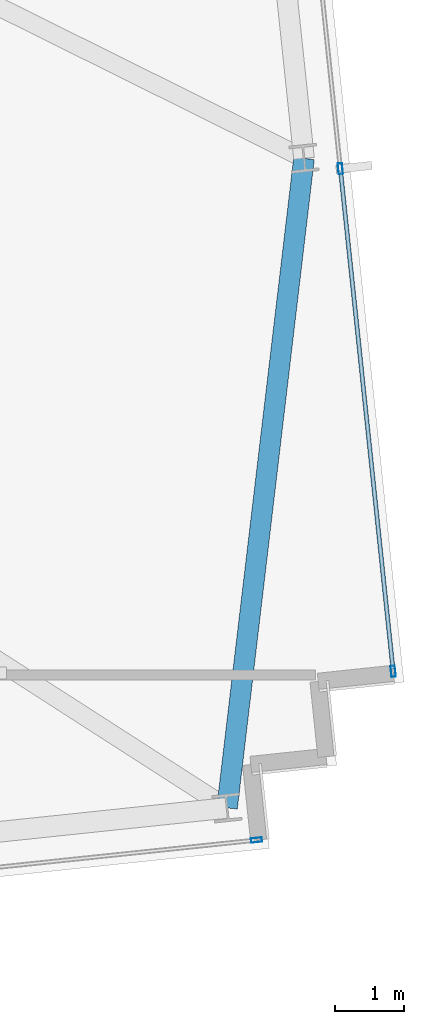
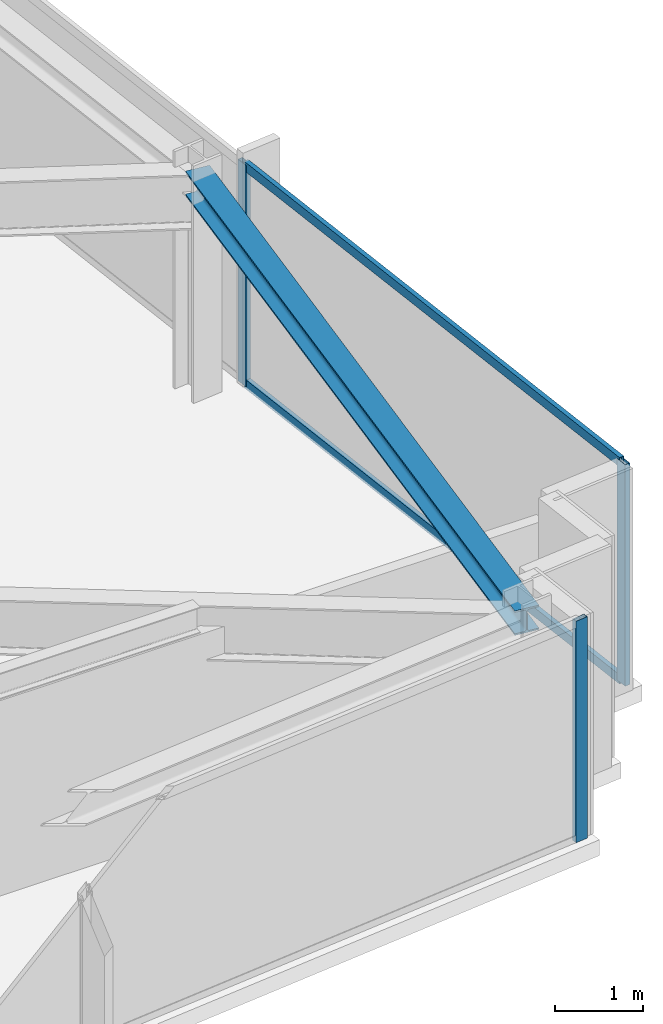
# One storey, part 17 of 32: 5 members, 1 beam, 2 elements without a shape of their own.
"""IFC4 building model written with IfcOpenShell, lengths in metres."""

from ifc_helpers import new_model, si_unit, direction, frame, origin, origin_2d, place, context, subcontext, project, spatial, hollow_rectangle, i_section, extrude, material, material_profile, profile_set, type_object, element, aggregate, save


model = new_model("IFC4")

# Units and contexts
model_context = context("Model", 3, precision=1e-05, world=origin(), true_north=direction((0.0, 1.0)))
body_context = subcontext(model_context, "Body", "Model", "MODEL_VIEW")
ifc_project = project(units=[si_unit("LENGTHUNIT", "METRE"), si_unit("AREAUNIT", "SQUARE_METRE"), si_unit("VOLUMEUNIT", "CUBIC_METRE"), si_unit("PLANEANGLEUNIT", "RADIAN"), si_unit("MASSUNIT", "GRAM", prefix="KILO")], contexts=[model_context])

# Site, building, storey
site_placement = place(None, origin())
site = spatial("IfcSite", under=ifc_project, at=site_placement, CompositionType="ELEMENT")
building_placement = place(site_placement, origin())
building = spatial("IfcBuilding", under=site, at=building_placement, Name="Yelkora Congress Tower", CompositionType="ELEMENT")
storey_placement = place(building_placement, frame((0.0, 0.0, 214.39990234375)))
storey = spatial("IfcBuildingStorey", under=building, at=storey_placement, Name="L59", CompositionType="ELEMENT", Elevation=214.39990234375)

# Beam
ifc_material_1 = material(Name="Steel S355J2", Category="steel")
ifc_material_profile_1 = material_profile(ifc_material_1, i_section(OverallWidth=0.300048828125, OverallDepth=0.340087890625, WebThickness=0.011962890625, FlangeThickness=0.021484375, FilletRadius=0.027099609375, at=origin_2d()), Name="HEB 340")
ifc_profile_set_1 = profile_set([ifc_material_profile_1], Name="Steel S355J2")
beam_type = type_object("IfcBeamType", Name="BM-SPAN-HEB340", PredefinedType="SPANDREL", material=ifc_profile_set_1)
beam_placement = place(storey_placement, frame((69.235107421875, 17.716796875, 2.91015625), z_axis=(0.11765897357, 0.993054059928, 0.0), x_axis=(-0.993054059928, 0.11765897357, 0.0)))
element("IfcBeam", 1, at=beam_placement, inside=storey, type_object=beam_type, Name="L59 Perimeter Beam 9", PredefinedType="SPANDREL", context=body_context, shape_type="SweptSolid", body=[
    extrude(i_section(OverallWidth=0.300048828125, OverallDepth=0.340087890625, WebThickness=0.011962890625, FlangeThickness=0.021484375, FilletRadius=0.027099609375, at=origin_2d()), origin(), (0.0, 0.0, 1.0), 9.509765625),
])

# Curtain wall, members
ifc_material_2 = material(Name="Anodised aluminium and insulated glass", Category="aluminium")
curtain_wall_type = type_object("IfcCurtainWallType", Name="CW-SYS-B4", PredefinedType="NOTDEFINED", material=ifc_material_2)
curtain_wall_1_placement = place(storey_placement, origin())
curtain_wall_1 = element("IfcCurtainWall", 2, at=curtain_wall_1_placement, inside=storey, type_object=curtain_wall_type, Name="L59 Unitised Curtain Wall 15", PredefinedType="NOTDEFINED")
ifc_material_3 = material(Name="Anodised aluminium 6063-T6", Category="aluminium")
ifc_material_profile_2 = material_profile(ifc_material_3, hollow_rectangle(XDim=0.06494140625, YDim=0.159912109375, WallThickness=0.00390625, at=origin_2d()), Name="ALU 65x160x4")
ifc_profile_set_2 = profile_set([ifc_material_profile_2], Name="Anodised aluminium 6063-T6")
member_type_1 = type_object("IfcMemberType", Name="MEM-ML-B4", PredefinedType="MULLION", material=ifc_profile_set_2)
member_1_placement = place(storey_placement, frame((70.882568359375, 27.009765625, 0.0), z_axis=(0.0, 0.0, 1.0), x_axis=(0.994522182968, 0.104525726898, 0.0)))
member_1 = element("IfcMember", 3, at=member_1_placement, type_object=member_type_1, Name="CW-B4 mullion 4", PredefinedType="MULLION", context=body_context, shape_type="SweptSolid", body=[
    extrude(hollow_rectangle(XDim=0.06494140625, YDim=0.159912109375, WallThickness=0.00390625, at=origin_2d()), origin(), (0.0, 0.0, 1.0), 3.080078125),
])
member_2_placement = place(storey_placement, frame((71.650634765625, 19.70263671875, 0.0), z_axis=(0.0, 0.0, 1.0), x_axis=(0.994522182968, 0.104525726898, 0.0)))
member_2 = element("IfcMember", 4, at=member_2_placement, type_object=member_type_1, Name="CW-B4 mullion 5", PredefinedType="MULLION", context=body_context, shape_type="SweptSolid", body=[
    extrude(hollow_rectangle(XDim=0.06494140625, YDim=0.159912109375, WallThickness=0.00390625, at=origin_2d()), origin(), (0.0, 0.0, 1.0), 3.080078125),
])

# Curtain wall, member
curtain_wall_2_placement = place(storey_placement, origin())
curtain_wall_2 = element("IfcCurtainWall", 5, at=curtain_wall_2_placement, inside=storey, type_object=curtain_wall_type, Name="L59 Unitised Curtain Wall 20", PredefinedType="NOTDEFINED")
member_3_placement = place(storey_placement, frame((69.663818359375, 17.2490234375, 0.0), z_axis=(0.0, 0.0, 1.0), x_axis=(0.104526664994, -0.994522084373, 0.0)))
member_3 = element("IfcMember", 6, at=member_3_placement, type_object=member_type_1, Name="CW-B4 mullion 1", PredefinedType="MULLION", context=body_context, shape_type="SweptSolid", body=[
    extrude(hollow_rectangle(XDim=0.06494140625, YDim=0.159912109375, WallThickness=0.00390625, at=origin_2d()), origin(), (0.0, 0.0, 1.0), 3.080078125),
])
aggregate(curtain_wall_2, [member_3])

# Member
ifc_material_profile_3 = material_profile(ifc_material_3, hollow_rectangle(XDim=0.06005859375, YDim=0.1298828125, WallThickness=0.00390625, at=origin_2d()), Name="ALU 60x130x4")
ifc_profile_set_3 = profile_set([ifc_material_profile_3], Name="Anodised aluminium 6063-T6")
member_type_2 = type_object("IfcMemberType", Name="MEM-TR-B4", PredefinedType="USERDEFINED", material=ifc_profile_set_3)
member_4_placement = place(storey_placement, frame((70.885986328125, 26.9775390625, 0.030029296875), z_axis=(0.104527725728, -0.994521972886, 0.0), x_axis=(0.994521972886, 0.104527725728, 0.0)))
member_4 = element("IfcMember", 7, at=member_4_placement, type_object=member_type_2, Name="CW-B4 transom 4.1", ObjectType="TRANSOM", PredefinedType="USERDEFINED", context=body_context, shape_type="SweptSolid", body=[
    extrude(hollow_rectangle(XDim=0.06005859375, YDim=0.1298828125, WallThickness=0.00390625, at=origin_2d()), origin(), (0.0, 0.0, 1.0), 7.282470703125),
])

member_5_placement = place(storey_placement, frame((70.885986328125, 26.9775390625, 3.050048828125), z_axis=(0.104527725728, -0.994521972886, 0.0), x_axis=(0.994521972886, 0.104527725728, 0.0)))
member_5 = element("IfcMember", 8, at=member_5_placement, type_object=member_type_2, Name="CW-B4 transom 4.2", ObjectType="TRANSOM", PredefinedType="USERDEFINED", context=body_context, shape_type="SweptSolid", body=[
    extrude(hollow_rectangle(XDim=0.06005859375, YDim=0.1298828125, WallThickness=0.00390625, at=origin_2d()), origin(), (0.0, 0.0, 1.0), 7.282470703125),
])

aggregate(curtain_wall_1, [member_1, member_2, member_4, member_5])

save(model, "model.ifc")
